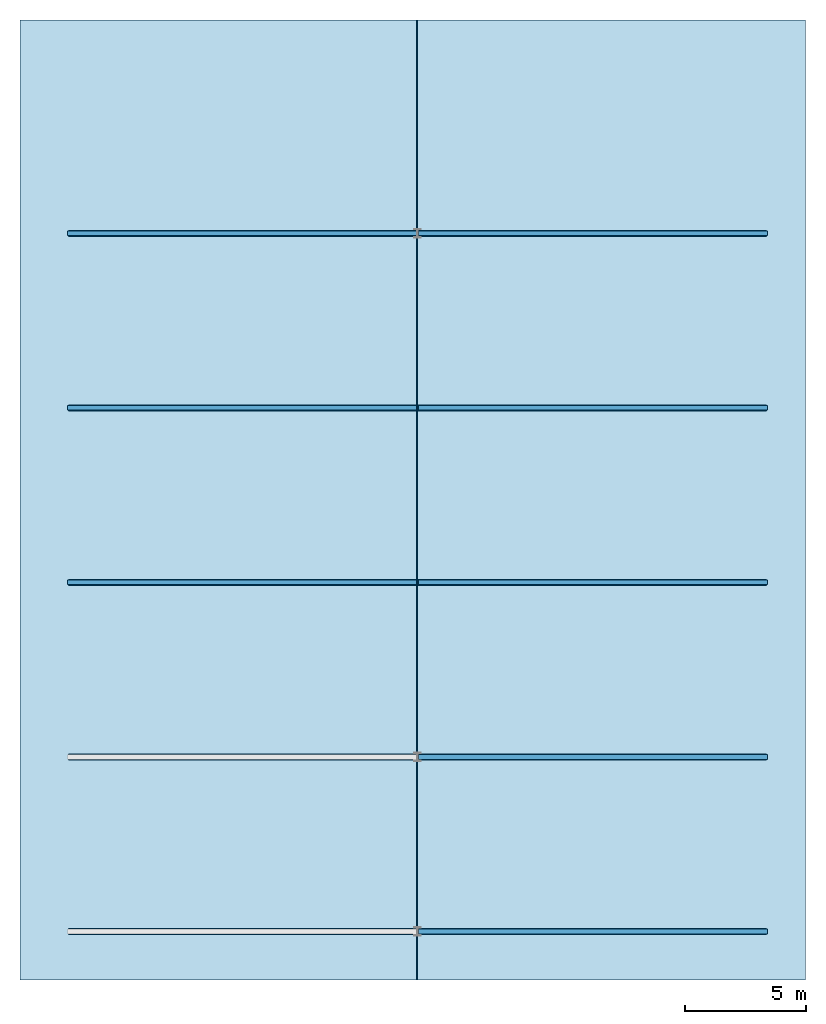
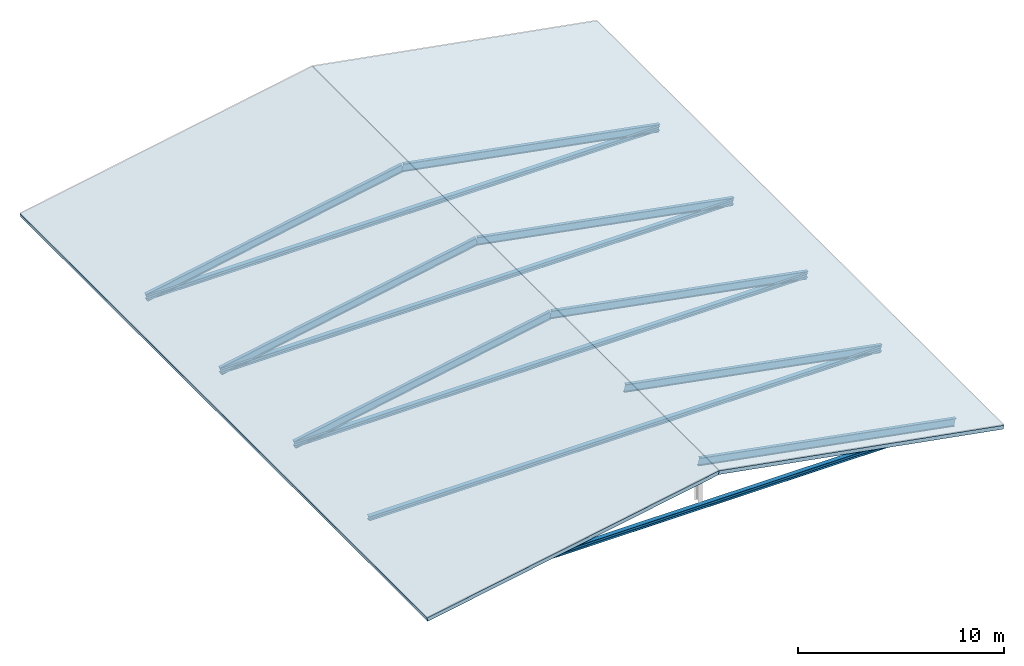
# One storey, part 2 of 3: 13 members, 2 slabs.
"""IFC4 building model written with IfcOpenShell, lengths in metres."""

from ifc_helpers import new_model, si_unit, direction, frame, origin, origin_2d, place, context, subcontext, project, spatial, polyline, i_section, outline, extrude, material, layer, layer_set, material_profile, profile_set, type_object, element, save


model = new_model("IFC4")

# Units and contexts
model_context = context("Model", 3, precision=1e-05, world=origin(), true_north=direction((0.0, 1.0)))
body_context = subcontext(model_context, "Body", "Model", "MODEL_VIEW")
ifc_project = project(units=[si_unit("LENGTHUNIT", "METRE"), si_unit("AREAUNIT", "SQUARE_METRE"), si_unit("VOLUMEUNIT", "CUBIC_METRE"), si_unit("PLANEANGLEUNIT", "RADIAN"), si_unit("MASSUNIT", "GRAM", prefix="KILO")], contexts=[model_context])

# Site, building, storey
site_placement = place(None, origin())
site = spatial("IfcSite", under=ifc_project, at=site_placement, CompositionType="ELEMENT")
building_placement = place(site_placement, origin())
building = spatial("IfcBuilding", under=site, at=building_placement, Name="Kalmorath City Hall", CompositionType="ELEMENT")
storey_placement = place(building_placement, frame((0.0, 0.0, 35.25)))
storey = spatial("IfcBuildingStorey", under=building, at=storey_placement, Name="ROOF", CompositionType="ELEMENT", Elevation=35.25)

# Members
ifc_material_1 = material(Name="Steel ASTM A992 Grade 50", Category="steel")
ifc_material_profile_1 = material_profile(ifc_material_1, i_section(OverallWidth=0.19091796875, OverallDepth=0.45703125, WebThickness=0.009033203125, FlangeThickness=0.014404296875, FilletRadius=0.013916015625, at=origin_2d()), Name="W18X50")
ifc_profile_set_1 = profile_set([ifc_material_profile_1], Name="Steel ASTM A992 Grade 50")
member_type_1 = type_object("IfcMemberType", Name="Steel pitched roof rafter W18X50", PredefinedType="RAFTER", material=ifc_profile_set_1)
for number, where, z_axis, x_axis, name in (
    (1, (14.39990234375, 0.0, 2.35009765625), (0.983116803281, 0.0, -0.182979100189), (0.0, 1.0, 0.0), "V1 east roof rafter RF1-1"),
    (2, (14.39990234375, 7.199951171875, 2.35009765625), (0.983116803281, 0.0, -0.182979100189), (0.0, 1.0, 0.0), "V1 east roof rafter RF1-2"),
):
    element("IfcMember", number, at=place(storey_placement, frame(where, z_axis=z_axis, x_axis=x_axis)), inside=storey, type_object=member_type_1, Name=name, PredefinedType="RAFTER", context=body_context, shape_type="SweptSolid", body=[
        extrude(i_section(OverallWidth=0.19091796875, OverallDepth=0.45703125, WebThickness=0.009033203125, FlangeThickness=0.014404296875, FilletRadius=0.013916015625, at=origin_2d()), origin(), (0.0, 0.0, 1.0), 14.6474609375),
    ])
member_1_placement = place(storey_placement, frame((0.0, 14.39990234375, -0.330078125), z_axis=(0.983116245207, 0.0, 0.182982098604), x_axis=(0.0, 1.0, 0.0)))
element("IfcMember", 3, at=member_1_placement, inside=storey, type_object=member_type_1, Name="V1 west roof rafter RF1-3", PredefinedType="RAFTER", context=body_context, shape_type="SweptSolid", body=[
    extrude(i_section(OverallWidth=0.19091796875, OverallDepth=0.45703125, WebThickness=0.009033203125, FlangeThickness=0.014404296875, FilletRadius=0.013916015625, at=origin_2d()), origin(), (0.0, 0.0, 1.0), 14.647216796875),
])
member_2_placement = place(storey_placement, frame((14.39990234375, 14.39990234375, 2.35009765625), z_axis=(0.983116803281, 0.0, -0.182979100189), x_axis=(0.0, 1.0, 0.0)))
element("IfcMember", 4, at=member_2_placement, inside=storey, type_object=member_type_1, Name="V1 east roof rafter RF1-3", PredefinedType="RAFTER", context=body_context, shape_type="SweptSolid", body=[
    extrude(i_section(OverallWidth=0.19091796875, OverallDepth=0.45703125, WebThickness=0.009033203125, FlangeThickness=0.014404296875, FilletRadius=0.013916015625, at=origin_2d()), origin(), (0.0, 0.0, 1.0), 14.6474609375),
])
member_3_placement = place(storey_placement, frame((0.0, 21.60009765625, -0.330078125), z_axis=(0.983116245207, 0.0, 0.182982098604), x_axis=(0.0, 1.0, 0.0)))
element("IfcMember", 5, at=member_3_placement, inside=storey, type_object=member_type_1, Name="V1 west roof rafter RF1-4", PredefinedType="RAFTER", context=body_context, shape_type="SweptSolid", body=[
    extrude(i_section(OverallWidth=0.19091796875, OverallDepth=0.45703125, WebThickness=0.009033203125, FlangeThickness=0.014404296875, FilletRadius=0.013916015625, at=origin_2d()), origin(), (0.0, 0.0, 1.0), 14.647216796875),
])
member_4_placement = place(storey_placement, frame((14.39990234375, 21.60009765625, 2.35009765625), z_axis=(0.983116803281, 0.0, -0.182979100189), x_axis=(0.0, 1.0, 0.0)))
element("IfcMember", 6, at=member_4_placement, inside=storey, type_object=member_type_1, Name="V1 east roof rafter RF1-4", PredefinedType="RAFTER", context=body_context, shape_type="SweptSolid", body=[
    extrude(i_section(OverallWidth=0.19091796875, OverallDepth=0.45703125, WebThickness=0.009033203125, FlangeThickness=0.014404296875, FilletRadius=0.013916015625, at=origin_2d()), origin(), (0.0, 0.0, 1.0), 14.6474609375),
])
member_5_placement = place(storey_placement, frame((0.0, 28.800048828125, -0.330078125), z_axis=(0.983116245207, 0.0, 0.182982098604), x_axis=(0.0, 1.0, 0.0)))
element("IfcMember", 7, at=member_5_placement, inside=storey, type_object=member_type_1, Name="V1 west roof rafter RF1-5", PredefinedType="RAFTER", context=body_context, shape_type="SweptSolid", body=[
    extrude(i_section(OverallWidth=0.19091796875, OverallDepth=0.45703125, WebThickness=0.009033203125, FlangeThickness=0.014404296875, FilletRadius=0.013916015625, at=origin_2d()), origin(), (0.0, 0.0, 1.0), 14.647216796875),
])
member_6_placement = place(storey_placement, frame((14.39990234375, 28.800048828125, 2.35009765625), z_axis=(0.983116803281, 0.0, -0.182979100189), x_axis=(0.0, 1.0, 0.0)))
element("IfcMember", 8, at=member_6_placement, inside=storey, type_object=member_type_1, Name="V1 east roof rafter RF1-5", PredefinedType="RAFTER", context=body_context, shape_type="SweptSolid", body=[
    extrude(i_section(OverallWidth=0.19091796875, OverallDepth=0.45703125, WebThickness=0.009033203125, FlangeThickness=0.014404296875, FilletRadius=0.013916015625, at=origin_2d()), origin(), (0.0, 0.0, 1.0), 14.6474609375),
])
ifc_material_2 = material(Name="Steel ASTM A992 Grade 50", Category="steel")
ifc_material_profile_2 = material_profile(ifc_material_2, i_section(OverallWidth=0.25390625, OverallDepth=0.2529296875, WebThickness=0.008544921875, FlangeThickness=0.01416015625, FilletRadius=0.011962890625, at=origin_2d()), Name="W10X49")
ifc_profile_set_2 = profile_set([ifc_material_profile_2], Name="Steel ASTM A992 Grade 50")
member_type_2 = type_object("IfcMemberType", Name="Steel roof collar member W10X49", PredefinedType="COLLAR", material=ifc_profile_set_2)
for number, where, z_axis, x_axis, name in (
    (9, (0.0, 0.0, -0.330078125), (1.0, 0.0, 0.0), (0.0, 1.0, 0.0), "V1 roof collar tie RF7-1"),
    (10, (0.0, 7.199951171875, -0.330078125), (1.0, 0.0, 0.0), (0.0, 1.0, 0.0), "V1 roof collar tie RF7-2"),
    (11, (0.0, 14.39990234375, -0.330078125), (1.0, 0.0, 0.0), (0.0, 1.0, 0.0), "V1 roof collar tie RF7-3"),
    (12, (0.0, 21.60009765625, -0.330078125), (1.0, 0.0, 0.0), (0.0, 1.0, 0.0), "V1 roof collar tie RF7-4"),
    (13, (0.0, 28.800048828125, -0.330078125), (1.0, 0.0, 0.0), (0.0, 1.0, 0.0), "V1 roof collar tie RF7-5"),
):
    element("IfcMember", number, at=place(storey_placement, frame(where, z_axis=z_axis, x_axis=x_axis)), inside=storey, type_object=member_type_2, Name=name, PredefinedType="COLLAR", context=body_context, shape_type="SweptSolid", body=[
        extrude(i_section(OverallWidth=0.25390625, OverallDepth=0.2529296875, WebThickness=0.008544921875, FlangeThickness=0.01416015625, FilletRadius=0.011962890625, at=origin_2d()), origin(), (0.0, 0.0, 1.0), 28.800048828125),
    ])

# Slabs
ifc_material_3 = material(Name="Concrete C40/50", Category="concrete")
ifc_layer = layer(ifc_material_3, 0.219970703125)
ifc_layer_set = layer_set([ifc_layer], Name="Concrete C40/50")
slab_type = type_object("IfcSlabType", Name="Concrete sloped hurricane roof slab 220", PredefinedType="ROOF", material=ifc_layer_set)
slab_1_placement = place(storey_placement, frame((-2.0, -2.0, 0.0), z_axis=(-0.17994202583, 0.0, 0.983677217048), x_axis=(0.983677217048, 0.0, 0.17994202583)))
element("IfcSlab", 14, at=slab_1_placement, inside=storey, type_object=slab_type, Name="Corner Administration Block west sloped hurricane roof", PredefinedType="ROOF", context=body_context, shape_type="SweptSolid", body=[
    extrude(outline(polyline([(0.0, 0.0), (16.672036374856457, 0.0), (16.672036374856457, 39.60009765625), (0.0, 39.60009765625), (0.0, 0.0)])), origin(), (0.0, 0.0, -1.0), 0.219970703125),
])
slab_2_placement = place(storey_placement, frame((14.39990234375, -2.0, 3.0), z_axis=(0.178338413997, 0.0, 0.983969211964), x_axis=(0.983969211964, 0.0, -0.178338413997)))
element("IfcSlab", 15, at=slab_2_placement, inside=storey, type_object=slab_type, Name="Corner Administration Block east sloped hurricane roof", PredefinedType="ROOF", context=body_context, shape_type="SweptSolid", body=[
    extrude(outline(polyline([(0.0, 0.0), (16.26067137615439, 0.0), (16.26067137615439, 39.60009765624999), (0.0, 39.60009765624999), (0.0, 0.0)])), origin(), (0.0, 0.0, -1.0), 0.219970703125),
])

save(model, "model.ifc")
